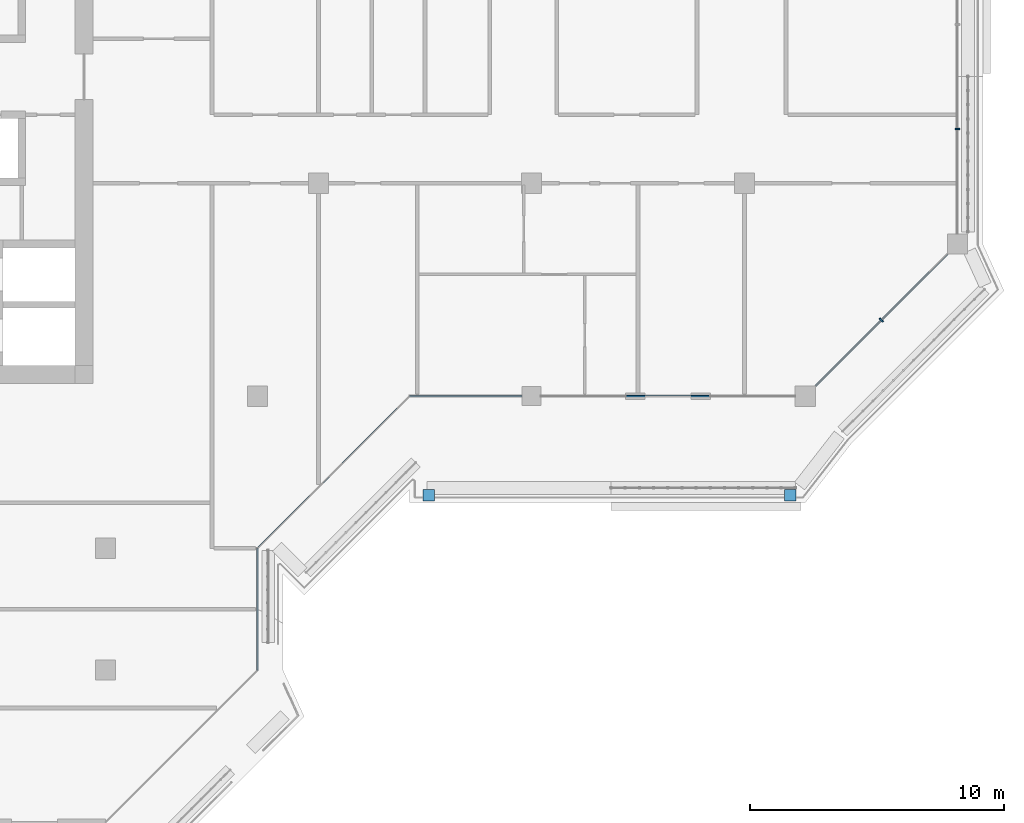
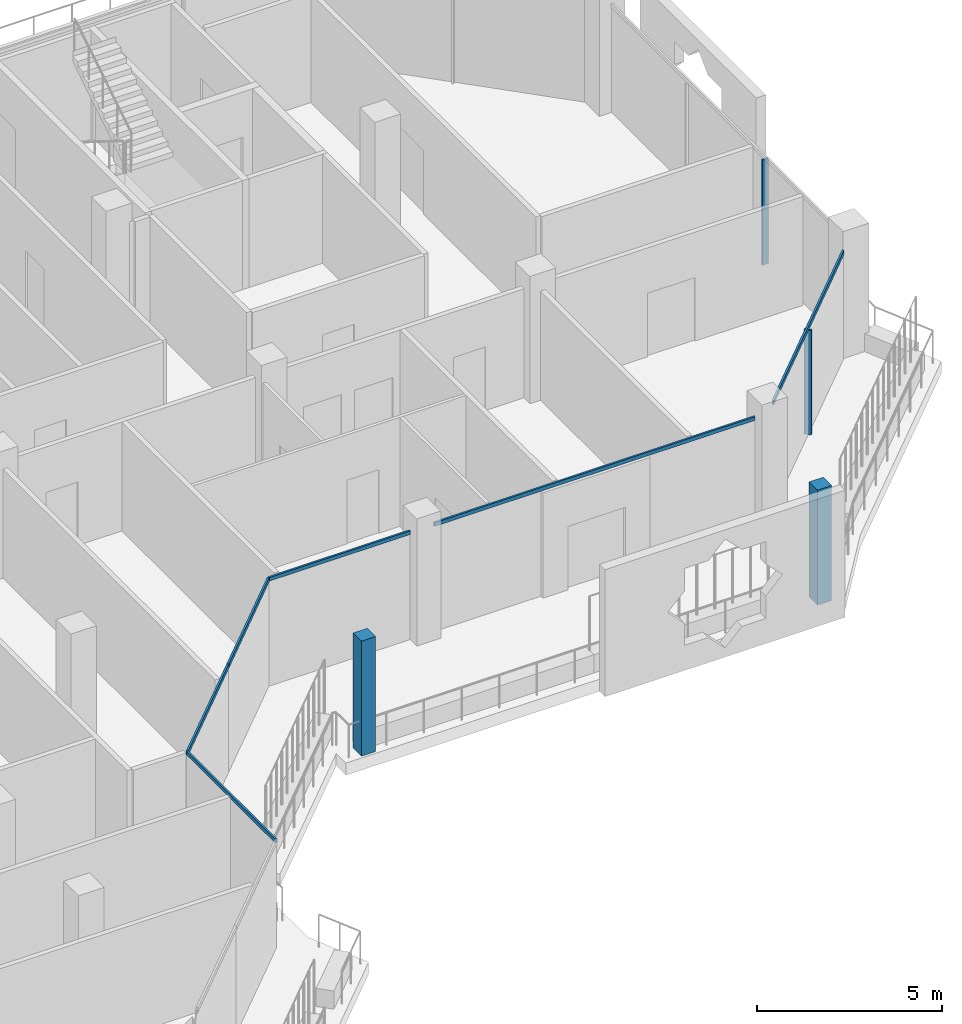
# One storey, part 5 of 22: 10 members, 6 elements without a shape of their own.
"""IFC4 building model written with IfcOpenShell, lengths in metres."""

from ifc_helpers import new_model, si_unit, direction, frame, origin, origin_2d, place, context, subcontext, project, spatial, rectangle, extrude, material, layer, layer_set, material_profile, profile_set, type_object, element, aggregate, save


model = new_model("IFC4")

# Units and contexts
model_context = context("Model", 3, precision=1e-05, world=origin(), true_north=direction((0.0, 1.0)))
body_context = subcontext(model_context, "Body", "Model", "MODEL_VIEW")
ifc_project = project(units=[si_unit("LENGTHUNIT", "METRE"), si_unit("AREAUNIT", "SQUARE_METRE"), si_unit("VOLUMEUNIT", "CUBIC_METRE"), si_unit("PLANEANGLEUNIT", "RADIAN"), si_unit("MASSUNIT", "GRAM", prefix="KILO")], contexts=[model_context])

# Site, building, storey
site_placement = place(None, origin())
site = spatial("IfcSite", under=ifc_project, at=site_placement, CompositionType="ELEMENT")
building_placement = place(site_placement, origin())
building = spatial("IfcBuilding", under=site, at=building_placement, Name="Kawkab Arch Medical Tower", CompositionType="ELEMENT")
storey_placement = place(building_placement, frame((0.0, 0.0, 298.60009765625)))
storey = spatial("IfcBuildingStorey", under=building, at=storey_placement, Name="L69", CompositionType="ELEMENT", Elevation=298.60009765625)

# Curtain wall, member
ifc_material_1 = material(Name="Bronze anodised aluminium curtain wall frame", Category="aluminium")
ifc_layer_1 = layer(ifc_material_1, 0.159912109375)
ifc_layer_set_1 = layer_set([ifc_layer_1], Name="Bronze anodised aluminium curtain wall frame")
curtain_wall_type_1 = type_object("IfcCurtainWallType", Name="CW1 ward curtain wall", PredefinedType="NOTDEFINED", material=ifc_layer_set_1)
placement = place(storey_placement, origin())
curtain_wall_1 = element("IfcCurtainWall", 1, at=placement, inside=storey, type_object=curtain_wall_type_1, Name="CW1 Ward curtain wall R13", PredefinedType="NOTDEFINED")
ifc_material_2 = material(Name="Bronze anodised aluminium curtain wall frame", Category="aluminium")
ifc_material_profile_1 = material_profile(ifc_material_2, rectangle(XDim=0.179931640625, YDim=0.06005859375, at=origin_2d()), Name="AL 60x180")
ifc_profile_set_1 = profile_set([ifc_material_profile_1], Name="Bronze anodised aluminium curtain wall frame")
member_type_1 = type_object("IfcMemberType", Name="CW1 mullion 60 x 180", PredefinedType="MULLION", material=ifc_profile_set_1)
member_1_placement = place(storey_placement, frame((58.800048828125, -14.666748046875, 0.0), z_axis=(0.0, 0.0, 1.0), x_axis=(-1.0, 0.0, 0.0)))
member_1 = element("IfcMember", 2, at=member_1_placement, type_object=member_type_1, Name="CW1 mullion 1.1", PredefinedType="MULLION", context=body_context, shape_type="SweptSolid", body=[
    extrude(rectangle(XDim=0.179931640625, YDim=0.06005859375, at=origin_2d()), origin(), (0.0, 0.0, 1.0), 3.47998046875),
])
aggregate(curtain_wall_1, [member_1])

curtain_wall_2 = element("IfcCurtainWall", 3, at=placement, inside=storey, type_object=curtain_wall_type_1, Name="CW1 Ward curtain wall R09", PredefinedType="NOTDEFINED")
ifc_material_3 = material(Name="Bronze anodised aluminium curtain wall frame", Category="aluminium")
ifc_material_profile_2 = material_profile(ifc_material_3, rectangle(XDim=0.06005859375, YDim=0.1201171875, at=origin_2d()), Name="AL 60x120")
ifc_profile_set_2 = profile_set([ifc_material_profile_2], Name="Bronze anodised aluminium curtain wall frame")
member_type_2 = type_object("IfcMemberType", Name="CW1 transom 120 x 60", PredefinedType="USERDEFINED", material=ifc_profile_set_2)
member_2_placement = place(storey_placement, frame((31.199951171875, -36.0, 3.539794921875), z_axis=(0.0, 1.0, 0.0), x_axis=(-1.0, 0.0, 0.0)))
member_2 = element("IfcMember", 4, at=member_2_placement, type_object=member_type_2, Name="CW1 transom 1", ObjectType="TRANSOM", PredefinedType="USERDEFINED", context=body_context, shape_type="SweptSolid", body=[
    extrude(rectangle(XDim=0.06005859375, YDim=0.1201171875, at=origin_2d()), origin(), (0.0, 0.0, 1.0), 4.800048828125),
])
aggregate(curtain_wall_2, [member_2])

# Curtain wall, members
curtain_wall_3 = element("IfcCurtainWall", 5, at=placement, inside=storey, type_object=curtain_wall_type_1, Name="CW1 Ward curtain wall R11", PredefinedType="NOTDEFINED")
member_3_placement = place(storey_placement, frame((37.199951171875, -25.199951171875, 3.539794921875), z_axis=(1.0, 0.0, 0.0), x_axis=(0.0, 1.0, 0.0)))
member_3 = element("IfcMember", 6, at=member_3_placement, type_object=member_type_2, Name="CW1 transom 1", ObjectType="TRANSOM", PredefinedType="USERDEFINED", context=body_context, shape_type="SweptSolid", body=[
    extrude(rectangle(XDim=0.06005859375, YDim=0.1201171875, at=origin_2d()), origin(), (0.0, 0.0, 1.0), 4.425048828125),
])
member_4_placement = place(storey_placement, frame((42.375, -25.199951171875, 3.539794921875), z_axis=(1.0, 0.0, 0.0), x_axis=(0.0, 1.0, 0.0)))
member_4 = element("IfcMember", 7, at=member_4_placement, type_object=member_type_2, Name="CW1 transom 2", ObjectType="TRANSOM", PredefinedType="USERDEFINED", context=body_context, shape_type="SweptSolid", body=[
    extrude(rectangle(XDim=0.06005859375, YDim=0.1201171875, at=origin_2d()), origin(), (0.0, 0.0, 1.0), 10.02490234375),
])
aggregate(curtain_wall_3, [member_3, member_4])

# Curtain wall, member
ifc_material_4 = material(Name="Bronze anodised aluminium curtain wall frame", Category="aluminium")
ifc_layer_2 = layer(ifc_material_4, 0.159912109375)
ifc_layer_set_2 = layer_set([ifc_layer_2], Name="Bronze anodised aluminium curtain wall frame")
curtain_wall_type_2 = type_object("IfcCurtainWallType", Name="CW2 chamfer curtain wall", PredefinedType="NOTDEFINED", material=ifc_layer_set_2)
curtain_wall_4 = element("IfcCurtainWall", 8, at=placement, inside=storey, type_object=curtain_wall_type_2, Name="CW2 Chamfer curtain wall R12", PredefinedType="NOTDEFINED")
ifc_material_5 = material(Name="Bronze anodised aluminium curtain wall frame", Category="aluminium")
ifc_material_profile_3 = material_profile(ifc_material_5, rectangle(XDim=0.199951171875, YDim=0.06005859375, at=origin_2d()), Name="AL 60x200")
ifc_profile_set_3 = profile_set([ifc_material_profile_3], Name="Bronze anodised aluminium curtain wall frame")
member_type_3 = type_object("IfcMemberType", Name="CW2 mullion 60 x 200", PredefinedType="MULLION", material=ifc_profile_set_3)
member_5_placement = place(storey_placement, frame((55.800048828125, -22.199951171875, 0.0), z_axis=(0.0, 0.0, 1.0), x_axis=(-0.707106781187, 0.707106781187, 0.0)))
member_5 = element("IfcMember", 9, at=member_5_placement, type_object=member_type_3, Name="CW2 mullion 1.1", PredefinedType="MULLION", context=body_context, shape_type="SweptSolid", body=[
    extrude(rectangle(XDim=0.199951171875, YDim=0.06005859375, at=origin_2d()), origin(), (0.0, 0.0, 1.0), 3.4599609375),
])

# Curtain wall, members
curtain_wall_5 = element("IfcCurtainWall", 10, at=placement, inside=storey, type_object=curtain_wall_type_2, Name="CW2 Chamfer curtain wall R10", PredefinedType="NOTDEFINED")
ifc_material_6 = material(Name="Bronze anodised aluminium curtain wall frame", Category="aluminium")
ifc_material_profile_4 = material_profile(ifc_material_6, rectangle(XDim=0.06005859375, YDim=0.139892578125, at=origin_2d()), Name="AL 60x140")
ifc_profile_set_4 = profile_set([ifc_material_profile_4], Name="Bronze anodised aluminium curtain wall frame")
member_type_4 = type_object("IfcMemberType", Name="CW2 transom 140 x 60", PredefinedType="USERDEFINED", material=ifc_profile_set_4)
member_6_placement = place(storey_placement, frame((31.199951171875, -31.199951171875, 3.52978515625), z_axis=(0.707106781187, 0.707106781187, 0.0), x_axis=(-0.707106781187, 0.707106781187, 0.0)))
member_6 = element("IfcMember", 11, at=member_6_placement, type_object=member_type_4, Name="CW2 transom 1", ObjectType="TRANSOM", PredefinedType="USERDEFINED", context=body_context, shape_type="SweptSolid", body=[
    extrude(rectangle(XDim=0.06005859375, YDim=0.139892578125, at=origin_2d()), origin(), (0.0, 0.0, 1.0), 4.24267578125),
])
member_7_placement = place(storey_placement, frame((34.199951171875, -28.199951171875, 3.52978515625), z_axis=(0.707106781187, 0.707106781187, 0.0), x_axis=(-0.707106781187, 0.707106781187, 0.0)))
member_7 = element("IfcMember", 12, at=member_7_placement, type_object=member_type_4, Name="CW2 transom 2", ObjectType="TRANSOM", PredefinedType="USERDEFINED", context=body_context, shape_type="SweptSolid", body=[
    extrude(rectangle(XDim=0.06005859375, YDim=0.139892578125, at=origin_2d()), origin(), (0.0, 0.0, 1.0), 4.24267578125),
])
aggregate(curtain_wall_5, [member_6, member_7])

# Member
member_8_placement = place(storey_placement, frame((53.199951171875, -24.800048828125, 3.52978515625), z_axis=(0.707106781187, 0.707106781187, 0.0), x_axis=(-0.707106781187, 0.707106781187, 0.0)))
member_8 = element("IfcMember", 13, at=member_8_placement, type_object=member_type_4, Name="CW2 transom 1", ObjectType="TRANSOM", PredefinedType="USERDEFINED", context=body_context, shape_type="SweptSolid", body=[
    extrude(rectangle(XDim=0.06005859375, YDim=0.139892578125, at=origin_2d()), origin(), (0.0, 0.0, 1.0), 7.353759765625),
])

aggregate(curtain_wall_4, [member_8, member_5])

# Curtain wall, members
ifc_material_7 = material(Name="Bronze anodised aluminium climber frame, planted", Category="aluminium")
ifc_layer_3 = layer(ifc_material_7, 0.449951171875)
ifc_layer_set_3 = layer_set([ifc_layer_3], Name="Bronze anodised aluminium climber frame, planted")
curtain_wall_type_3 = type_object("IfcCurtainWallType", Name="Planted climber frame", PredefinedType="NOTDEFINED", material=ifc_layer_set_3)
curtain_wall_6 = element("IfcCurtainWall", 14, at=placement, inside=storey, type_object=curtain_wall_type_3, Name="Planted climber frame L69", PredefinedType="NOTDEFINED")
ifc_material_8 = material(Name="Bronze anodised aluminium climber frame, planted", Category="aluminium")
ifc_material_profile_5 = material_profile(ifc_material_8, rectangle(XDim=0.449951171875, YDim=0.449951171875, at=origin_2d()), Name="Post 450x450")
ifc_profile_set_5 = profile_set([ifc_material_profile_5], Name="Bronze anodised aluminium climber frame, planted")
member_type_5 = type_object("IfcMemberType", Name="Planted climber post 450 x 450", PredefinedType="MULLION", material=ifc_profile_set_5)
member_9_placement = place(storey_placement, frame((52.202880859375, -29.10009765625, 0.0), z_axis=(0.0, 0.0, 1.0), x_axis=(1.0, 0.0, 0.0)))
member_9 = element("IfcMember", 15, at=member_9_placement, type_object=member_type_5, Name="Planted climber post L69.LOG-01-01.5", PredefinedType="MULLION", context=body_context, shape_type="SweptSolid", body=[
    extrude(rectangle(XDim=0.449951171875, YDim=0.449951171875, at=origin_2d()), origin(), (0.0, 0.0, 1.0), 3.7998046875),
])
member_10_placement = place(storey_placement, frame((37.949951171875, -29.10009765625, 0.0), z_axis=(0.0, 0.0, 1.0), x_axis=(1.0, 0.0, 0.0)))
member_10 = element("IfcMember", 16, at=member_10_placement, type_object=member_type_5, Name="Planted climber post L69.LOG-01-01.6", PredefinedType="MULLION", context=body_context, shape_type="SweptSolid", body=[
    extrude(rectangle(XDim=0.449951171875, YDim=0.449951171875, at=origin_2d()), origin(), (0.0, 0.0, 1.0), 3.7998046875),
])
aggregate(curtain_wall_6, [member_9, member_10])

save(model, "model.ifc")
